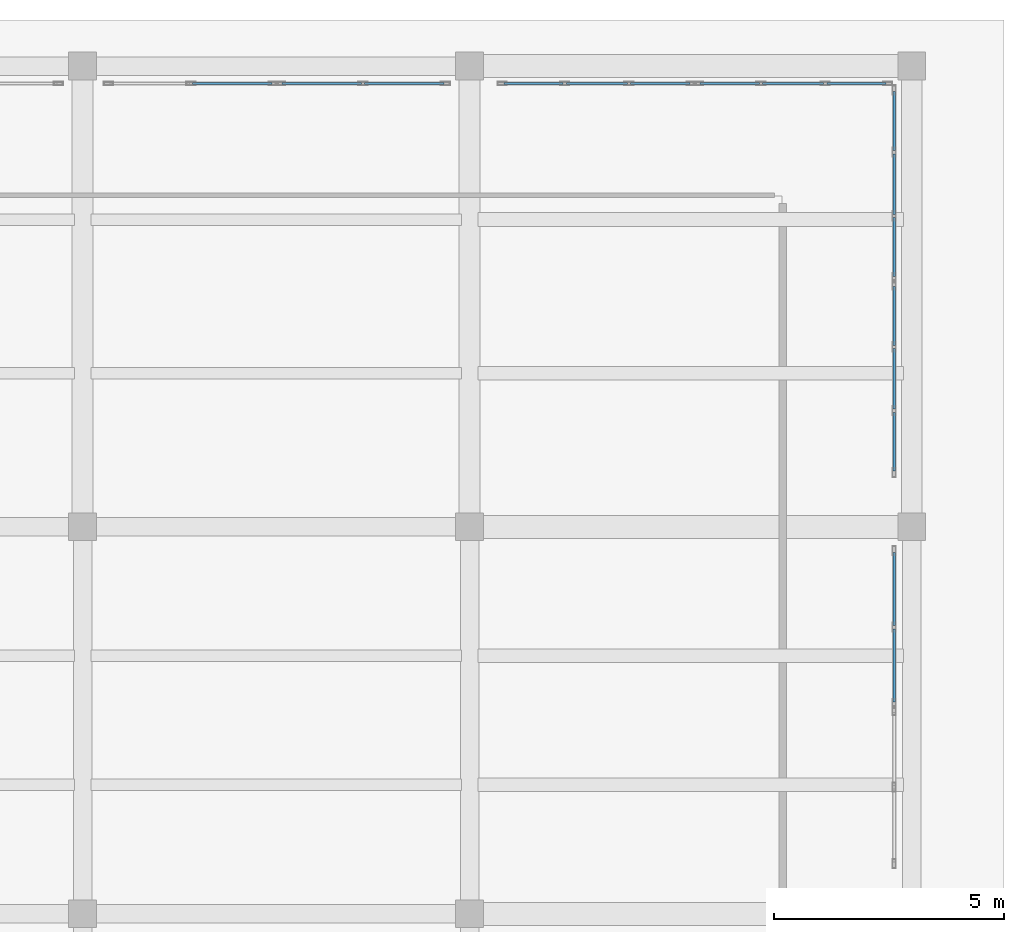
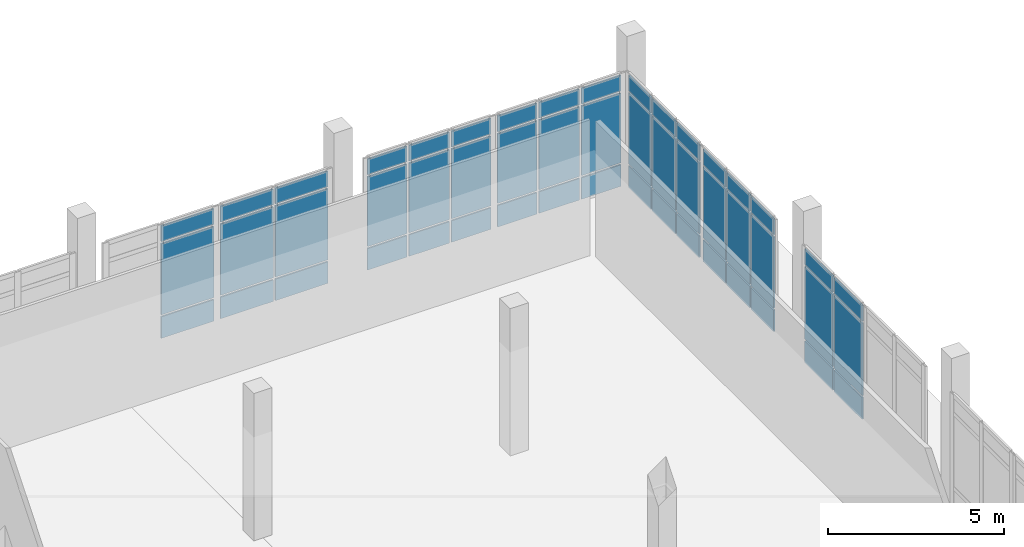
# One storey, part 43 of 64: 51 plates, 7 elements without a shape of their own.
"""IFC4 building model written with IfcOpenShell, lengths in metres."""

from ifc_helpers import new_model, si_unit, derived_unit, direction, frame, origin, origin_2d, place, context, subcontext, project, spatial, rectangle, extrude, material, layer, layer_set, type_object, element, aggregate, save


model = new_model("IFC4")

# Units and contexts
model_context = context("Model", 3, precision=1e-05, world=origin(), true_north=direction((0.0, 1.0)))
body_context = subcontext(model_context, "Body", "Model", "MODEL_VIEW")
ifc_project = project(units=[si_unit("LENGTHUNIT", "METRE"), si_unit("AREAUNIT", "SQUARE_METRE"), si_unit("VOLUMEUNIT", "CUBIC_METRE"), si_unit("PLANEANGLEUNIT", "RADIAN"), si_unit("MASSUNIT", "GRAM", prefix="KILO"), derived_unit("THERMALTRANSMITTANCEUNIT", [(si_unit("POWERUNIT", "WATT"), 1), (si_unit("LENGTHUNIT", "METRE"), -2), (si_unit("THERMODYNAMICTEMPERATUREUNIT", "KELVIN"), -1)])], contexts=[model_context])

# Site, building, storey
site_placement = place(None, origin())
site = spatial("IfcSite", under=ifc_project, at=site_placement, CompositionType="ELEMENT")
building_placement = place(site_placement, origin())
building = spatial("IfcBuilding", under=site, at=building_placement, Name="Elbkamm Science Centre", CompositionType="ELEMENT")
storey_placement = place(building_placement, origin())
storey = spatial("IfcBuildingStorey", under=building, at=storey_placement, Name="L00", CompositionType="ELEMENT", Elevation=0.0)

# Curtain wall, plates
ifc_material_1 = material(Name="Powder-coated aluminium and triple low-E glazing", Category="aluminium")
ifc_layer_1 = layer(ifc_material_1, 0.159912109375)
ifc_layer_set_1 = layer_set([ifc_layer_1], Name="Powder-coated aluminium and triple low-E glazing")
curtain_wall_type_1 = type_object("IfcCurtainWallType", Name="CW-UNIT-3660x4040", PredefinedType="USERDEFINED", material=ifc_layer_set_1)
curtain_wall_1_placement = place(storey_placement, origin())
curtain_wall_1 = element("IfcCurtainWall", 1, at=curtain_wall_1_placement, inside=storey, type_object=curtain_wall_type_1, Name="L00 Unitised Curtain Wall 110", ObjectType="UNITISED CURTAIN WALL", PredefinedType="USERDEFINED")
ifc_material_2 = material(Name="Triple solar-control insulated safety glass", Category="glass")
ifc_layer_2 = layer(ifc_material_2, 0.048095703125)
ifc_layer_set_2 = layer_set([ifc_layer_2], Name="Triple solar-control insulated safety glass")
plate_type = type_object("IfcPlateType", Name="CW-PNL-48", PredefinedType="CURTAIN_PANEL", material=ifc_layer_set_2)
plate_1_placement = place(storey_placement, frame((146.04931640625, 110.419921875, 0.06982421875), z_axis=(0.0, 0.0, 1.0), x_axis=(1.0, 0.0, 0.0)))
plate_1 = element("IfcPlate", 2, at=plate_1_placement, type_object=plate_type, Name="CW-055 panel 2.1", PredefinedType="CURTAIN_PANEL", context=body_context, shape_type="SweptSolid", body=[
    extrude(rectangle(XDim=1.7216796875, YDim=0.048095703125, at=origin_2d()), origin(), (0.0, 0.0, 1.0), 0.7451171875),
])
plate_2_placement = place(storey_placement, frame((146.04931640625, 110.419921875, 0.885009765625), z_axis=(0.0, 0.0, 1.0), x_axis=(1.0, 0.0, 0.0)))
plate_2 = element("IfcPlate", 3, at=plate_2_placement, type_object=plate_type, Name="CW-055 panel 2.2", PredefinedType="CURTAIN_PANEL", context=body_context, shape_type="SweptSolid", body=[
    extrude(rectangle(XDim=1.7216796875, YDim=0.048095703125, at=origin_2d()), origin(), (0.0, 0.0, 1.0), 2.4599609375),
])
plate_3_placement = place(storey_placement, frame((146.04931640625, 110.419921875, 3.4150390625), z_axis=(0.0, 0.0, 1.0), x_axis=(1.0, 0.0, 0.0)))
plate_3 = element("IfcPlate", 4, at=plate_3_placement, type_object=plate_type, Name="CW-055 panel 2.3", PredefinedType="CURTAIN_PANEL", context=body_context, shape_type="SweptSolid", body=[
    extrude(rectangle(XDim=1.7216796875, YDim=0.048095703125, at=origin_2d()), origin(), (0.0, 0.0, 1.0), 0.544921875),
])
aggregate(curtain_wall_1, [plate_1, plate_2, plate_3])

curtain_wall_2_placement = place(storey_placement, origin())
curtain_wall_2 = element("IfcCurtainWall", 5, at=curtain_wall_2_placement, inside=storey, type_object=curtain_wall_type_1, Name="L00 Unitised Curtain Wall 111", ObjectType="UNITISED CURTAIN WALL", PredefinedType="USERDEFINED")
plate_4_placement = place(storey_placement, frame((147.990966796875, 110.419921875, 0.06982421875), z_axis=(0.0, 0.0, 1.0), x_axis=(1.0, 0.0, 0.0)))
plate_4 = element("IfcPlate", 6, at=plate_4_placement, type_object=plate_type, Name="CW-055 panel 1.1", PredefinedType="CURTAIN_PANEL", context=body_context, shape_type="SweptSolid", body=[
    extrude(rectangle(XDim=1.7216796875, YDim=0.048095703125, at=origin_2d()), origin(), (0.0, 0.0, 1.0), 0.7451171875),
])
plate_5_placement = place(storey_placement, frame((147.990966796875, 110.419921875, 0.885009765625), z_axis=(0.0, 0.0, 1.0), x_axis=(1.0, 0.0, 0.0)))
plate_5 = element("IfcPlate", 7, at=plate_5_placement, type_object=plate_type, Name="CW-055 panel 1.2", PredefinedType="CURTAIN_PANEL", context=body_context, shape_type="SweptSolid", body=[
    extrude(rectangle(XDim=1.7216796875, YDim=0.048095703125, at=origin_2d()), origin(), (0.0, 0.0, 1.0), 2.4599609375),
])
plate_6_placement = place(storey_placement, frame((147.990966796875, 110.419921875, 3.4150390625), z_axis=(0.0, 0.0, 1.0), x_axis=(1.0, 0.0, 0.0)))
plate_6 = element("IfcPlate", 8, at=plate_6_placement, type_object=plate_type, Name="CW-055 panel 1.3", PredefinedType="CURTAIN_PANEL", context=body_context, shape_type="SweptSolid", body=[
    extrude(rectangle(XDim=1.7216796875, YDim=0.048095703125, at=origin_2d()), origin(), (0.0, 0.0, 1.0), 0.544921875),
])
plate_7_placement = place(storey_placement, frame((149.78271484375, 110.419921875, 0.06982421875), z_axis=(0.0, 0.0, 1.0), x_axis=(1.0, 0.0, 0.0)))
plate_7 = element("IfcPlate", 9, at=plate_7_placement, type_object=plate_type, Name="CW-055 panel 2.1", PredefinedType="CURTAIN_PANEL", context=body_context, shape_type="SweptSolid", body=[
    extrude(rectangle(XDim=1.7216796875, YDim=0.048095703125, at=origin_2d()), origin(), (0.0, 0.0, 1.0), 0.7451171875),
])
plate_8_placement = place(storey_placement, frame((149.78271484375, 110.419921875, 0.885009765625), z_axis=(0.0, 0.0, 1.0), x_axis=(1.0, 0.0, 0.0)))
plate_8 = element("IfcPlate", 10, at=plate_8_placement, type_object=plate_type, Name="CW-055 panel 2.2", PredefinedType="CURTAIN_PANEL", context=body_context, shape_type="SweptSolid", body=[
    extrude(rectangle(XDim=1.7216796875, YDim=0.048095703125, at=origin_2d()), origin(), (0.0, 0.0, 1.0), 2.4599609375),
])
plate_9_placement = place(storey_placement, frame((149.78271484375, 110.419921875, 3.4150390625), z_axis=(0.0, 0.0, 1.0), x_axis=(1.0, 0.0, 0.0)))
plate_9 = element("IfcPlate", 11, at=plate_9_placement, type_object=plate_type, Name="CW-055 panel 2.3", PredefinedType="CURTAIN_PANEL", context=body_context, shape_type="SweptSolid", body=[
    extrude(rectangle(XDim=1.7216796875, YDim=0.048095703125, at=origin_2d()), origin(), (0.0, 0.0, 1.0), 0.544921875),
])
aggregate(curtain_wall_2, [plate_4, plate_5, plate_6, plate_7, plate_8, plate_9])

ifc_layer_3 = layer(ifc_material_1, 0.159912109375)
ifc_layer_set_3 = layer_set([ifc_layer_3], Name="Powder-coated aluminium and triple low-E glazing")
curtain_wall_type_2 = type_object("IfcCurtainWallType", Name="CW-UNIT-4180x3980", PredefinedType="USERDEFINED", material=ifc_layer_set_3)
curtain_wall_3_placement = place(storey_placement, origin())
curtain_wall_3 = element("IfcCurtainWall", 12, at=curtain_wall_3_placement, inside=storey, type_object=curtain_wall_type_2, Name="L00 Unitised Curtain Wall 112", ObjectType="UNITISED CURTAIN WALL", PredefinedType="USERDEFINED")
plate_10_placement = place(storey_placement, frame((152.58740234375, 110.419921875, 0.06982421875), z_axis=(0.0, 0.0, 1.0), x_axis=(1.0, 0.0, 0.0)))
plate_10 = element("IfcPlate", 13, at=plate_10_placement, type_object=plate_type, Name="CW-056 panel 1.1", PredefinedType="CURTAIN_PANEL", context=body_context, shape_type="SweptSolid", body=[
    extrude(rectangle(XDim=1.288330078125, YDim=0.048095703125, at=origin_2d()), origin(), (0.0, 0.0, 1.0), 0.7451171875),
])
plate_11_placement = place(storey_placement, frame((152.58740234375, 110.419921875, 0.88525390625), z_axis=(0.0, 0.0, 1.0), x_axis=(1.0, 0.0, 0.0)))
plate_11 = element("IfcPlate", 14, at=plate_11_placement, type_object=plate_type, Name="CW-056 panel 1.2", PredefinedType="CURTAIN_PANEL", context=body_context, shape_type="SweptSolid", body=[
    extrude(rectangle(XDim=1.288330078125, YDim=0.048095703125, at=origin_2d()), origin(), (0.0, 0.0, 1.0), 2.409912109375),
])
plate_12_placement = place(storey_placement, frame((152.58740234375, 110.419921875, 3.364990234375), z_axis=(0.0, 0.0, 1.0), x_axis=(1.0, 0.0, 0.0)))
plate_12 = element("IfcPlate", 15, at=plate_12_placement, type_object=plate_type, Name="CW-056 panel 1.3", PredefinedType="CURTAIN_PANEL", context=body_context, shape_type="SweptSolid", body=[
    extrude(rectangle(XDim=1.288330078125, YDim=0.048095703125, at=origin_2d()), origin(), (0.0, 0.0, 1.0), 0.544921875),
])
plate_13_placement = place(storey_placement, frame((153.96337890625, 110.419921875, 0.06982421875), z_axis=(0.0, 0.0, 1.0), x_axis=(1.0, 0.0, 0.0)))
plate_13 = element("IfcPlate", 16, at=plate_13_placement, type_object=plate_type, Name="CW-056 panel 2.1", PredefinedType="CURTAIN_PANEL", context=body_context, shape_type="SweptSolid", body=[
    extrude(rectangle(XDim=1.323486328125, YDim=0.048095703125, at=origin_2d()), origin(), (0.0, 0.0, 1.0), 0.7451171875),
])
plate_14_placement = place(storey_placement, frame((153.96337890625, 110.419921875, 0.88525390625), z_axis=(0.0, 0.0, 1.0), x_axis=(1.0, 0.0, 0.0)))
plate_14 = element("IfcPlate", 17, at=plate_14_placement, type_object=plate_type, Name="CW-056 panel 2.2", PredefinedType="CURTAIN_PANEL", context=body_context, shape_type="SweptSolid", body=[
    extrude(rectangle(XDim=1.323486328125, YDim=0.048095703125, at=origin_2d()), origin(), (0.0, 0.0, 1.0), 2.409912109375),
])
plate_15_placement = place(storey_placement, frame((153.96337890625, 110.419921875, 3.364990234375), z_axis=(0.0, 0.0, 1.0), x_axis=(1.0, 0.0, 0.0)))
plate_15 = element("IfcPlate", 18, at=plate_15_placement, type_object=plate_type, Name="CW-056 panel 2.3", PredefinedType="CURTAIN_PANEL", context=body_context, shape_type="SweptSolid", body=[
    extrude(rectangle(XDim=1.323486328125, YDim=0.048095703125, at=origin_2d()), origin(), (0.0, 0.0, 1.0), 0.544921875),
])
plate_16_placement = place(storey_placement, frame((155.33935546875, 110.419921875, 0.06982421875), z_axis=(0.0, 0.0, 1.0), x_axis=(1.0, 0.0, 0.0)))
plate_16 = element("IfcPlate", 19, at=plate_16_placement, type_object=plate_type, Name="CW-056 panel 3.1", PredefinedType="CURTAIN_PANEL", context=body_context, shape_type="SweptSolid", body=[
    extrude(rectangle(XDim=1.288330078125, YDim=0.048095703125, at=origin_2d()), origin(), (0.0, 0.0, 1.0), 0.7451171875),
])
plate_17_placement = place(storey_placement, frame((155.33935546875, 110.419921875, 0.88525390625), z_axis=(0.0, 0.0, 1.0), x_axis=(1.0, 0.0, 0.0)))
plate_17 = element("IfcPlate", 20, at=plate_17_placement, type_object=plate_type, Name="CW-056 panel 3.2", PredefinedType="CURTAIN_PANEL", context=body_context, shape_type="SweptSolid", body=[
    extrude(rectangle(XDim=1.288330078125, YDim=0.048095703125, at=origin_2d()), origin(), (0.0, 0.0, 1.0), 2.409912109375),
])
plate_18_placement = place(storey_placement, frame((155.33935546875, 110.419921875, 3.364990234375), z_axis=(0.0, 0.0, 1.0), x_axis=(1.0, 0.0, 0.0)))
plate_18 = element("IfcPlate", 21, at=plate_18_placement, type_object=plate_type, Name="CW-056 panel 3.3", PredefinedType="CURTAIN_PANEL", context=body_context, shape_type="SweptSolid", body=[
    extrude(rectangle(XDim=1.288330078125, YDim=0.048095703125, at=origin_2d()), origin(), (0.0, 0.0, 1.0), 0.544921875),
])
aggregate(curtain_wall_3, [plate_10, plate_11, plate_12, plate_13, plate_14, plate_15, plate_16, plate_17, plate_18])

curtain_wall_4_placement = place(storey_placement, origin())
curtain_wall_4 = element("IfcCurtainWall", 22, at=curtain_wall_4_placement, inside=storey, type_object=curtain_wall_type_2, Name="L00 Unitised Curtain Wall 113", ObjectType="UNITISED CURTAIN WALL", PredefinedType="USERDEFINED")
plate_19_placement = place(storey_placement, frame((156.84765625, 110.419921875, 0.06982421875), z_axis=(0.0, 0.0, 1.0), x_axis=(1.0, 0.0, 0.0)))
plate_19 = element("IfcPlate", 23, at=plate_19_placement, type_object=plate_type, Name="CW-056 panel 1.1", PredefinedType="CURTAIN_PANEL", context=body_context, shape_type="SweptSolid", body=[
    extrude(rectangle(XDim=1.288330078125, YDim=0.048095703125, at=origin_2d()), origin(), (0.0, 0.0, 1.0), 0.7451171875),
])
plate_20_placement = place(storey_placement, frame((156.84765625, 110.419921875, 0.88525390625), z_axis=(0.0, 0.0, 1.0), x_axis=(1.0, 0.0, 0.0)))
plate_20 = element("IfcPlate", 24, at=plate_20_placement, type_object=plate_type, Name="CW-056 panel 1.2", PredefinedType="CURTAIN_PANEL", context=body_context, shape_type="SweptSolid", body=[
    extrude(rectangle(XDim=1.288330078125, YDim=0.048095703125, at=origin_2d()), origin(), (0.0, 0.0, 1.0), 2.409912109375),
])
plate_21_placement = place(storey_placement, frame((156.84765625, 110.419921875, 3.364990234375), z_axis=(0.0, 0.0, 1.0), x_axis=(1.0, 0.0, 0.0)))
plate_21 = element("IfcPlate", 25, at=plate_21_placement, type_object=plate_type, Name="CW-056 panel 1.3", PredefinedType="CURTAIN_PANEL", context=body_context, shape_type="SweptSolid", body=[
    extrude(rectangle(XDim=1.288330078125, YDim=0.048095703125, at=origin_2d()), origin(), (0.0, 0.0, 1.0), 0.544921875),
])
plate_22_placement = place(storey_placement, frame((158.2236328125, 110.419921875, 0.06982421875), z_axis=(0.0, 0.0, 1.0), x_axis=(1.0, 0.0, 0.0)))
plate_22 = element("IfcPlate", 26, at=plate_22_placement, type_object=plate_type, Name="CW-056 panel 2.1", PredefinedType="CURTAIN_PANEL", context=body_context, shape_type="SweptSolid", body=[
    extrude(rectangle(XDim=1.323486328125, YDim=0.048095703125, at=origin_2d()), origin(), (0.0, 0.0, 1.0), 0.7451171875),
])
plate_23_placement = place(storey_placement, frame((158.2236328125, 110.419921875, 0.88525390625), z_axis=(0.0, 0.0, 1.0), x_axis=(1.0, 0.0, 0.0)))
plate_23 = element("IfcPlate", 27, at=plate_23_placement, type_object=plate_type, Name="CW-056 panel 2.2", PredefinedType="CURTAIN_PANEL", context=body_context, shape_type="SweptSolid", body=[
    extrude(rectangle(XDim=1.323486328125, YDim=0.048095703125, at=origin_2d()), origin(), (0.0, 0.0, 1.0), 2.409912109375),
])
plate_24_placement = place(storey_placement, frame((158.2236328125, 110.419921875, 3.364990234375), z_axis=(0.0, 0.0, 1.0), x_axis=(1.0, 0.0, 0.0)))
plate_24 = element("IfcPlate", 28, at=plate_24_placement, type_object=plate_type, Name="CW-056 panel 2.3", PredefinedType="CURTAIN_PANEL", context=body_context, shape_type="SweptSolid", body=[
    extrude(rectangle(XDim=1.323486328125, YDim=0.048095703125, at=origin_2d()), origin(), (0.0, 0.0, 1.0), 0.544921875),
])
plate_25_placement = place(storey_placement, frame((159.599609375, 110.419921875, 0.06982421875), z_axis=(0.0, 0.0, 1.0), x_axis=(1.0, 0.0, 0.0)))
plate_25 = element("IfcPlate", 29, at=plate_25_placement, type_object=plate_type, Name="CW-056 panel 3.1", PredefinedType="CURTAIN_PANEL", context=body_context, shape_type="SweptSolid", body=[
    extrude(rectangle(XDim=1.288330078125, YDim=0.048095703125, at=origin_2d()), origin(), (0.0, 0.0, 1.0), 0.7451171875),
])
plate_26_placement = place(storey_placement, frame((159.599609375, 110.419921875, 0.88525390625), z_axis=(0.0, 0.0, 1.0), x_axis=(1.0, 0.0, 0.0)))
plate_26 = element("IfcPlate", 30, at=plate_26_placement, type_object=plate_type, Name="CW-056 panel 3.2", PredefinedType="CURTAIN_PANEL", context=body_context, shape_type="SweptSolid", body=[
    extrude(rectangle(XDim=1.288330078125, YDim=0.048095703125, at=origin_2d()), origin(), (0.0, 0.0, 1.0), 2.409912109375),
])
plate_27_placement = place(storey_placement, frame((159.599609375, 110.419921875, 3.364990234375), z_axis=(0.0, 0.0, 1.0), x_axis=(1.0, 0.0, 0.0)))
plate_27 = element("IfcPlate", 31, at=plate_27_placement, type_object=plate_type, Name="CW-056 panel 3.3", PredefinedType="CURTAIN_PANEL", context=body_context, shape_type="SweptSolid", body=[
    extrude(rectangle(XDim=1.288330078125, YDim=0.048095703125, at=origin_2d()), origin(), (0.0, 0.0, 1.0), 0.544921875),
])
aggregate(curtain_wall_4, [plate_19, plate_20, plate_21, plate_22, plate_23, plate_24, plate_25, plate_26, plate_27])

ifc_layer_4 = layer(ifc_material_1, 0.159912109375)
ifc_layer_set_4 = layer_set([ifc_layer_4], Name="Powder-coated aluminium and triple low-E glazing")
curtain_wall_type_3 = type_object("IfcCurtainWallType", Name="CW-UNIT-4140x4040", PredefinedType="USERDEFINED", material=ifc_layer_set_4)
curtain_wall_5_placement = place(storey_placement, origin())
curtain_wall_5 = element("IfcCurtainWall", 32, at=curtain_wall_5_placement, inside=storey, type_object=curtain_wall_type_3, Name="L00 Unitised Curtain Wall 114", ObjectType="UNITISED CURTAIN WALL", PredefinedType="USERDEFINED")
plate_28_placement = place(storey_placement, frame((160.419921875, 109.604736328125, 0.06982421875), z_axis=(0.0, 0.0, 1.0), x_axis=(0.0, -1.0, 0.0)))
plate_28 = element("IfcPlate", 33, at=plate_28_placement, type_object=plate_type, Name="CW-057 panel 1.1", PredefinedType="CURTAIN_PANEL", context=body_context, shape_type="SweptSolid", body=[
    extrude(rectangle(XDim=1.27783203125, YDim=0.048095703125, at=origin_2d()), origin(), (0.0, 0.0, 1.0), 0.7451171875),
])
plate_29_placement = place(storey_placement, frame((160.419921875, 109.604736328125, 0.885009765625), z_axis=(0.0, 0.0, 1.0), x_axis=(0.0, -1.0, 0.0)))
plate_29 = element("IfcPlate", 34, at=plate_29_placement, type_object=plate_type, Name="CW-057 panel 1.2", PredefinedType="CURTAIN_PANEL", context=body_context, shape_type="SweptSolid", body=[
    extrude(rectangle(XDim=1.27783203125, YDim=0.048095703125, at=origin_2d()), origin(), (0.0, 0.0, 1.0), 2.4599609375),
])
plate_30_placement = place(storey_placement, frame((160.419921875, 109.604736328125, 3.4150390625), z_axis=(0.0, 0.0, 1.0), x_axis=(0.0, -1.0, 0.0)))
plate_30 = element("IfcPlate", 35, at=plate_30_placement, type_object=plate_type, Name="CW-057 panel 1.3", PredefinedType="CURTAIN_PANEL", context=body_context, shape_type="SweptSolid", body=[
    extrude(rectangle(XDim=1.27783203125, YDim=0.048095703125, at=origin_2d()), origin(), (0.0, 0.0, 1.0), 0.544921875),
])
plate_31_placement = place(storey_placement, frame((160.419921875, 108.2392578125, 0.06982421875), z_axis=(0.0, 0.0, 1.0), x_axis=(0.0, -1.0, 0.0)))
plate_31 = element("IfcPlate", 36, at=plate_31_placement, type_object=plate_type, Name="CW-057 panel 2.1", PredefinedType="CURTAIN_PANEL", context=body_context, shape_type="SweptSolid", body=[
    extrude(rectangle(XDim=1.31298828125, YDim=0.048095703125, at=origin_2d()), origin(), (0.0, 0.0, 1.0), 0.7451171875),
])
plate_32_placement = place(storey_placement, frame((160.419921875, 108.2392578125, 0.885009765625), z_axis=(0.0, 0.0, 1.0), x_axis=(0.0, -1.0, 0.0)))
plate_32 = element("IfcPlate", 37, at=plate_32_placement, type_object=plate_type, Name="CW-057 panel 2.2", PredefinedType="CURTAIN_PANEL", context=body_context, shape_type="SweptSolid", body=[
    extrude(rectangle(XDim=1.31298828125, YDim=0.048095703125, at=origin_2d()), origin(), (0.0, 0.0, 1.0), 2.4599609375),
])
plate_33_placement = place(storey_placement, frame((160.419921875, 108.2392578125, 3.4150390625), z_axis=(0.0, 0.0, 1.0), x_axis=(0.0, -1.0, 0.0)))
plate_33 = element("IfcPlate", 38, at=plate_33_placement, type_object=plate_type, Name="CW-057 panel 2.3", PredefinedType="CURTAIN_PANEL", context=body_context, shape_type="SweptSolid", body=[
    extrude(rectangle(XDim=1.31298828125, YDim=0.048095703125, at=origin_2d()), origin(), (0.0, 0.0, 1.0), 0.544921875),
])
plate_34_placement = place(storey_placement, frame((160.419921875, 106.873779296875, 0.06982421875), z_axis=(0.0, 0.0, 1.0), x_axis=(0.0, -1.0, 0.0)))
plate_34 = element("IfcPlate", 39, at=plate_34_placement, type_object=plate_type, Name="CW-057 panel 3.1", PredefinedType="CURTAIN_PANEL", context=body_context, shape_type="SweptSolid", body=[
    extrude(rectangle(XDim=1.27783203125, YDim=0.048095703125, at=origin_2d()), origin(), (0.0, 0.0, 1.0), 0.7451171875),
])
plate_35_placement = place(storey_placement, frame((160.419921875, 106.873779296875, 0.885009765625), z_axis=(0.0, 0.0, 1.0), x_axis=(0.0, -1.0, 0.0)))
plate_35 = element("IfcPlate", 40, at=plate_35_placement, type_object=plate_type, Name="CW-057 panel 3.2", PredefinedType="CURTAIN_PANEL", context=body_context, shape_type="SweptSolid", body=[
    extrude(rectangle(XDim=1.27783203125, YDim=0.048095703125, at=origin_2d()), origin(), (0.0, 0.0, 1.0), 2.4599609375),
])
plate_36_placement = place(storey_placement, frame((160.419921875, 106.873779296875, 3.4150390625), z_axis=(0.0, 0.0, 1.0), x_axis=(0.0, -1.0, 0.0)))
plate_36 = element("IfcPlate", 41, at=plate_36_placement, type_object=plate_type, Name="CW-057 panel 3.3", PredefinedType="CURTAIN_PANEL", context=body_context, shape_type="SweptSolid", body=[
    extrude(rectangle(XDim=1.27783203125, YDim=0.048095703125, at=origin_2d()), origin(), (0.0, 0.0, 1.0), 0.544921875),
])
aggregate(curtain_wall_5, [plate_28, plate_29, plate_30, plate_31, plate_32, plate_33, plate_34, plate_35, plate_36])

curtain_wall_6_placement = place(storey_placement, origin())
curtain_wall_6 = element("IfcCurtainWall", 42, at=curtain_wall_6_placement, inside=storey, type_object=curtain_wall_type_3, Name="L00 Unitised Curtain Wall 115", ObjectType="UNITISED CURTAIN WALL", PredefinedType="USERDEFINED")
plate_37_placement = place(storey_placement, frame((160.419921875, 105.3759765625, 0.06982421875), z_axis=(0.0, 0.0, 1.0), x_axis=(0.0, -1.0, 0.0)))
plate_37 = element("IfcPlate", 43, at=plate_37_placement, type_object=plate_type, Name="CW-057 panel 1.1", PredefinedType="CURTAIN_PANEL", context=body_context, shape_type="SweptSolid", body=[
    extrude(rectangle(XDim=1.278076171875, YDim=0.048095703125, at=origin_2d()), origin(), (0.0, 0.0, 1.0), 0.7451171875),
])
plate_38_placement = place(storey_placement, frame((160.419921875, 105.3759765625, 0.885009765625), z_axis=(0.0, 0.0, 1.0), x_axis=(0.0, -1.0, 0.0)))
plate_38 = element("IfcPlate", 44, at=plate_38_placement, type_object=plate_type, Name="CW-057 panel 1.2", PredefinedType="CURTAIN_PANEL", context=body_context, shape_type="SweptSolid", body=[
    extrude(rectangle(XDim=1.278076171875, YDim=0.048095703125, at=origin_2d()), origin(), (0.0, 0.0, 1.0), 2.4599609375),
])
plate_39_placement = place(storey_placement, frame((160.419921875, 105.3759765625, 3.4150390625), z_axis=(0.0, 0.0, 1.0), x_axis=(0.0, -1.0, 0.0)))
plate_39 = element("IfcPlate", 45, at=plate_39_placement, type_object=plate_type, Name="CW-057 panel 1.3", PredefinedType="CURTAIN_PANEL", context=body_context, shape_type="SweptSolid", body=[
    extrude(rectangle(XDim=1.278076171875, YDim=0.048095703125, at=origin_2d()), origin(), (0.0, 0.0, 1.0), 0.544921875),
])
plate_40_placement = place(storey_placement, frame((160.419921875, 104.010498046875, 0.06982421875), z_axis=(0.0, 0.0, 1.0), x_axis=(0.0, -1.0, 0.0)))
plate_40 = element("IfcPlate", 46, at=plate_40_placement, type_object=plate_type, Name="CW-057 panel 2.1", PredefinedType="CURTAIN_PANEL", context=body_context, shape_type="SweptSolid", body=[
    extrude(rectangle(XDim=1.31298828125, YDim=0.048095703125, at=origin_2d()), origin(), (0.0, 0.0, 1.0), 0.7451171875),
])
plate_41_placement = place(storey_placement, frame((160.419921875, 104.010498046875, 0.885009765625), z_axis=(0.0, 0.0, 1.0), x_axis=(0.0, -1.0, 0.0)))
plate_41 = element("IfcPlate", 47, at=plate_41_placement, type_object=plate_type, Name="CW-057 panel 2.2", PredefinedType="CURTAIN_PANEL", context=body_context, shape_type="SweptSolid", body=[
    extrude(rectangle(XDim=1.31298828125, YDim=0.048095703125, at=origin_2d()), origin(), (0.0, 0.0, 1.0), 2.4599609375),
])
plate_42_placement = place(storey_placement, frame((160.419921875, 104.010498046875, 3.4150390625), z_axis=(0.0, 0.0, 1.0), x_axis=(0.0, -1.0, 0.0)))
plate_42 = element("IfcPlate", 48, at=plate_42_placement, type_object=plate_type, Name="CW-057 panel 2.3", PredefinedType="CURTAIN_PANEL", context=body_context, shape_type="SweptSolid", body=[
    extrude(rectangle(XDim=1.31298828125, YDim=0.048095703125, at=origin_2d()), origin(), (0.0, 0.0, 1.0), 0.544921875),
])
plate_43_placement = place(storey_placement, frame((160.419921875, 102.64501953125, 0.06982421875), z_axis=(0.0, 0.0, 1.0), x_axis=(0.0, -1.0, 0.0)))
plate_43 = element("IfcPlate", 49, at=plate_43_placement, type_object=plate_type, Name="CW-057 panel 3.1", PredefinedType="CURTAIN_PANEL", context=body_context, shape_type="SweptSolid", body=[
    extrude(rectangle(XDim=1.278076171875, YDim=0.048095703125, at=origin_2d()), origin(), (0.0, 0.0, 1.0), 0.7451171875),
])
plate_44_placement = place(storey_placement, frame((160.419921875, 102.64501953125, 0.885009765625), z_axis=(0.0, 0.0, 1.0), x_axis=(0.0, -1.0, 0.0)))
plate_44 = element("IfcPlate", 50, at=plate_44_placement, type_object=plate_type, Name="CW-057 panel 3.2", PredefinedType="CURTAIN_PANEL", context=body_context, shape_type="SweptSolid", body=[
    extrude(rectangle(XDim=1.278076171875, YDim=0.048095703125, at=origin_2d()), origin(), (0.0, 0.0, 1.0), 2.4599609375),
])
plate_45_placement = place(storey_placement, frame((160.419921875, 102.64501953125, 3.4150390625), z_axis=(0.0, 0.0, 1.0), x_axis=(0.0, -1.0, 0.0)))
plate_45 = element("IfcPlate", 51, at=plate_45_placement, type_object=plate_type, Name="CW-057 panel 3.3", PredefinedType="CURTAIN_PANEL", context=body_context, shape_type="SweptSolid", body=[
    extrude(rectangle(XDim=1.278076171875, YDim=0.048095703125, at=origin_2d()), origin(), (0.0, 0.0, 1.0), 0.544921875),
])
aggregate(curtain_wall_6, [plate_37, plate_38, plate_39, plate_40, plate_41, plate_42, plate_43, plate_44, plate_45])

ifc_layer_5 = layer(ifc_material_1, 0.159912109375)
ifc_layer_set_5 = layer_set([ifc_layer_5], Name="Powder-coated aluminium and triple low-E glazing")
curtain_wall_type_4 = type_object("IfcCurtainWallType", Name="CW-UNIT-3400x4080", PredefinedType="USERDEFINED", material=ifc_layer_set_5)
curtain_wall_7_placement = place(storey_placement, origin())
curtain_wall_7 = element("IfcCurtainWall", 52, at=curtain_wall_7_placement, inside=storey, type_object=curtain_wall_type_4, Name="L00 Unitised Curtain Wall 116", ObjectType="UNITISED CURTAIN WALL", PredefinedType="USERDEFINED")
plate_46_placement = place(storey_placement, frame((160.419921875, 99.448486328125, 0.06982421875), z_axis=(0.0, 0.0, 1.0), x_axis=(0.0, -1.0, 0.0)))
plate_46 = element("IfcPlate", 53, at=plate_46_placement, type_object=plate_type, Name="CW-058 panel 1.1", PredefinedType="CURTAIN_PANEL", context=body_context, shape_type="SweptSolid", body=[
    extrude(rectangle(XDim=1.59033203125, YDim=0.048095703125, at=origin_2d()), origin(), (0.0, 0.0, 1.0), 0.7451171875),
])
plate_47_placement = place(storey_placement, frame((160.419921875, 99.448486328125, 0.884765625), z_axis=(0.0, 0.0, 1.0), x_axis=(0.0, -1.0, 0.0)))
plate_47 = element("IfcPlate", 54, at=plate_47_placement, type_object=plate_type, Name="CW-058 panel 1.2", PredefinedType="CURTAIN_PANEL", context=body_context, shape_type="SweptSolid", body=[
    extrude(rectangle(XDim=1.59033203125, YDim=0.048095703125, at=origin_2d()), origin(), (0.0, 0.0, 1.0), 2.510009765625),
])
plate_48_placement = place(storey_placement, frame((160.419921875, 99.448486328125, 3.465087890625), z_axis=(0.0, 0.0, 1.0), x_axis=(0.0, -1.0, 0.0)))
plate_48 = element("IfcPlate", 55, at=plate_48_placement, type_object=plate_type, Name="CW-058 panel 1.3", PredefinedType="CURTAIN_PANEL", context=body_context, shape_type="SweptSolid", body=[
    extrude(rectangle(XDim=1.59033203125, YDim=0.048095703125, at=origin_2d()), origin(), (0.0, 0.0, 1.0), 0.544921875),
])
plate_49_placement = place(storey_placement, frame((160.419921875, 97.7880859375, 0.06982421875), z_axis=(0.0, 0.0, 1.0), x_axis=(0.0, -1.0, 0.0)))
plate_49 = element("IfcPlate", 56, at=plate_49_placement, type_object=plate_type, Name="CW-058 panel 2.1", PredefinedType="CURTAIN_PANEL", context=body_context, shape_type="SweptSolid", body=[
    extrude(rectangle(XDim=1.59033203125, YDim=0.048095703125, at=origin_2d()), origin(), (0.0, 0.0, 1.0), 0.7451171875),
])
plate_50_placement = place(storey_placement, frame((160.419921875, 97.7880859375, 0.884765625), z_axis=(0.0, 0.0, 1.0), x_axis=(0.0, -1.0, 0.0)))
plate_50 = element("IfcPlate", 57, at=plate_50_placement, type_object=plate_type, Name="CW-058 panel 2.2", PredefinedType="CURTAIN_PANEL", context=body_context, shape_type="SweptSolid", body=[
    extrude(rectangle(XDim=1.59033203125, YDim=0.048095703125, at=origin_2d()), origin(), (0.0, 0.0, 1.0), 2.510009765625),
])
plate_51_placement = place(storey_placement, frame((160.419921875, 97.7880859375, 3.465087890625), z_axis=(0.0, 0.0, 1.0), x_axis=(0.0, -1.0, 0.0)))
plate_51 = element("IfcPlate", 58, at=plate_51_placement, type_object=plate_type, Name="CW-058 panel 2.3", PredefinedType="CURTAIN_PANEL", context=body_context, shape_type="SweptSolid", body=[
    extrude(rectangle(XDim=1.59033203125, YDim=0.048095703125, at=origin_2d()), origin(), (0.0, 0.0, 1.0), 0.544921875),
])
aggregate(curtain_wall_7, [plate_46, plate_47, plate_48, plate_49, plate_50, plate_51])

save(model, "model.ifc")
